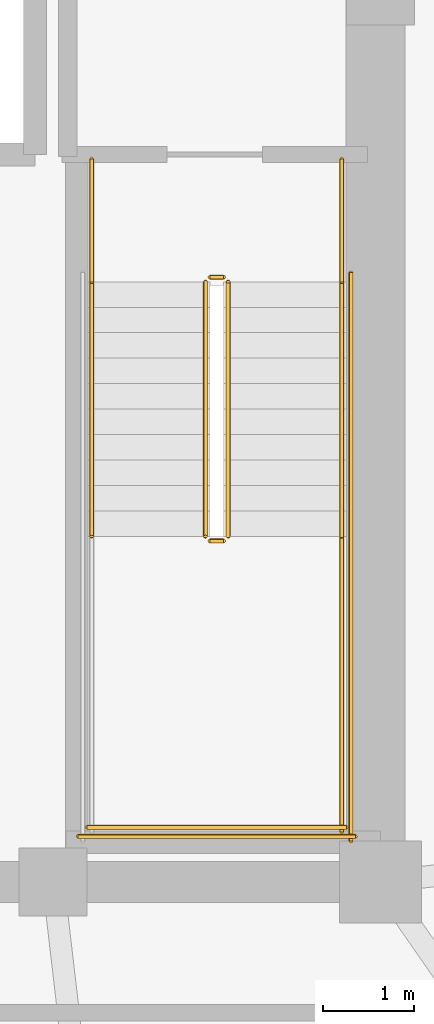
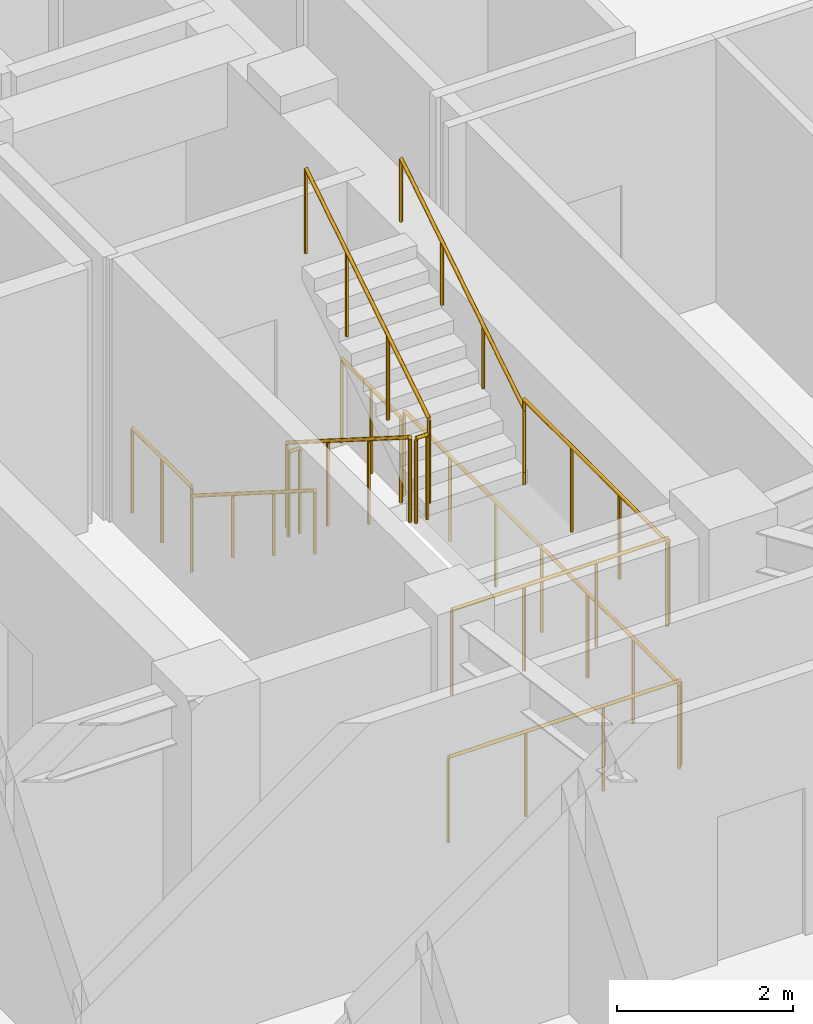
# One storey, part 11 of 11: 12 railings.
"""IFC4 building model written with IfcOpenShell, lengths in metres."""

from ifc_helpers import new_model, si_unit, direction, frame, origin, origin_2d, place, context, subcontext, project, spatial, circle, extrude, material, type_object, element, save


model = new_model("IFC4")

# Units and contexts
model_context = context("Model", 3, precision=1e-05, world=origin(), true_north=direction((0.0, 1.0)))
body_context = subcontext(model_context, "Body", "Model", "MODEL_VIEW")
ifc_project = project(units=[si_unit("LENGTHUNIT", "METRE"), si_unit("AREAUNIT", "SQUARE_METRE"), si_unit("VOLUMEUNIT", "CUBIC_METRE"), si_unit("PLANEANGLEUNIT", "RADIAN"), si_unit("MASSUNIT", "GRAM", prefix="KILO")], contexts=[model_context])

# Site, building, storey
site_placement = place(None, origin())
site = spatial("IfcSite", under=ifc_project, at=site_placement, CompositionType="ELEMENT")
building_placement = place(site_placement, origin())
building = spatial("IfcBuilding", under=site, at=building_placement, Name="Voryun Gate Residences", CompositionType="ELEMENT")
storey_placement = place(building_placement, frame((0.0, 0.0, 227.5)))
storey = spatial("IfcBuildingStorey", under=building, at=storey_placement, Name="L56", CompositionType="ELEMENT", Elevation=227.5)

# Railings
ifc_material_1 = material(Name="Painted steel", Category="steel")
railing_type_1 = type_object("IfcRailingType", Name="RAIL_STAIR_GUARD_1200", PredefinedType="GUARDRAIL", material=ifc_material_1)
railing_1_placement = place(storey_placement, frame((17.27490234375, -0.800048828125, 0.17724609375)))
element("IfcRailing", 1, at=railing_1_placement, inside=storey, type_object=railing_type_1, Name="L56 ST-E1 stair guard 1", PredefinedType="GUARDRAIL", context=body_context, shape_type="SweptSolid", body=[
    extrude(circle(Radius=0.02392578125, at=origin_2d()), frame((0.0, 0.0, 1.17578125), z_axis=(0.0, -0.844908973607, 0.534910110503), x_axis=(1.0, 0.0, 0.0)), (0.0, 0.0, 1.0), 3.31396484375),
    extrude(circle(Radius=0.02099609375, at=origin_2d()), origin(), (0.0, 0.0, 1.0), 1.15185546875),
    extrude(circle(Radius=0.02099609375, at=origin_2d()), frame((0.0, -0.933349609375, 0.5908203125)), (0.0, 0.0, 1.0), 1.15185546875),
    extrude(circle(Radius=0.02099609375, at=origin_2d()), frame((0.0, -1.86669921875, 1.181884765625)), (0.0, 0.0, 1.0), 1.15185546875),
    extrude(circle(Radius=0.02099609375, at=origin_2d()), frame((0.0, -2.800048828125, 1.772705078125)), (0.0, 0.0, 1.0), 1.15185546875),
])
railing_2_placement = place(storey_placement, frame((17.324951171875, -3.64990234375, 1.949951171875)))
element("IfcRailing", 2, at=railing_2_placement, inside=storey, type_object=railing_type_1, Name="L56 ST-E1 stair guard 2", PredefinedType="GUARDRAIL", context=body_context, shape_type="SweptSolid", body=[
    extrude(circle(Radius=0.02392578125, at=origin_2d()), frame((0.0, 0.0, 1.17578125), z_axis=(1.0, 0.0, 0.0), x_axis=(0.0, 1.0, 0.0)), (0.0, 0.0, 1.0), 0.150146484375),
    extrude(circle(Radius=0.02099609375, at=origin_2d()), origin(), (0.0, 0.0, 1.0), 1.15185546875),
    extrude(circle(Radius=0.02099609375, at=origin_2d()), frame((0.150146484375, 0.0, 0.0)), (0.0, 0.0, 1.0), 1.15185546875),
])
railing_3_placement = place(storey_placement, frame((18.77490234375, -3.60009765625, 1.949951171875)))
element("IfcRailing", 3, at=railing_3_placement, inside=storey, type_object=railing_type_1, Name="L56 ST-E1 stair guard 4", PredefinedType="GUARDRAIL", context=body_context, shape_type="SweptSolid", body=[
    extrude(circle(Radius=0.02392578125, at=origin_2d()), frame((0.0, 0.0, 1.17578125), z_axis=(0.0, -1.0, 0.0), x_axis=(1.0, 0.0, 0.0)), (0.0, 0.0, 1.0), 3.25),
    extrude(circle(Radius=0.02099609375, at=origin_2d()), origin(), (0.0, 0.0, 1.0), 1.15185546875),
    extrude(circle(Radius=0.02099609375, at=origin_2d()), frame((0.0, -1.083251953125, 0.0)), (0.0, 0.0, 1.0), 1.15185546875),
    extrude(circle(Radius=0.02099609375, at=origin_2d()), frame((0.0, -2.166748046875, 0.0)), (0.0, 0.0, 1.0), 1.15185546875),
    extrude(circle(Radius=0.02099609375, at=origin_2d()), frame((0.0, -3.25, 0.0)), (0.0, 0.0, 1.0), 1.15185546875),
])
railing_4_placement = place(storey_placement, frame((15.97509765625, -6.800048828125, 1.949951171875)))
element("IfcRailing", 4, at=railing_4_placement, inside=storey, type_object=railing_type_1, Name="L56 ST-E1 stair guard 5", PredefinedType="GUARDRAIL", context=body_context, shape_type="SweptSolid", body=[
    extrude(circle(Radius=0.02392578125, at=origin_2d()), frame((0.0, 0.0, 1.17578125), z_axis=(1.0, 0.0, 0.0), x_axis=(0.0, 1.0, 0.0)), (0.0, 0.0, 1.0), 2.849853515625),
    extrude(circle(Radius=0.02099609375, at=origin_2d()), origin(), (0.0, 0.0, 1.0), 1.15185546875),
    extrude(circle(Radius=0.02099609375, at=origin_2d()), frame((0.949951171875, 0.0, 0.0)), (0.0, 0.0, 1.0), 1.15185546875),
    extrude(circle(Radius=0.02099609375, at=origin_2d()), frame((1.89990234375, 0.0, 0.0)), (0.0, 0.0, 1.0), 1.15185546875),
    extrude(circle(Radius=0.02099609375, at=origin_2d()), frame((2.849853515625, 0.0, 0.0)), (0.0, 0.0, 1.0), 1.15185546875),
])
railing_5_placement = place(storey_placement, frame((17.52490234375, -3.60009765625, 2.127197265625)))
element("IfcRailing", 5, at=railing_5_placement, inside=storey, type_object=railing_type_1, Name="L56 ST-E1 stair guard 6", PredefinedType="GUARDRAIL", context=body_context, shape_type="SweptSolid", body=[
    extrude(circle(Radius=0.02392578125, at=origin_2d()), frame((0.0, 0.0, 1.17578125), z_axis=(0.0, 0.844908973607, 0.534910110503), x_axis=(-1.0, 0.0, 0.0)), (0.0, 0.0, 1.0), 3.31396484375),
    extrude(circle(Radius=0.02099609375, at=origin_2d()), origin(), (0.0, 0.0, 1.0), 1.15185546875),
    extrude(circle(Radius=0.02099609375, at=origin_2d()), frame((0.0, 0.933349609375, 0.5908203125)), (0.0, 0.0, 1.0), 1.15185546875),
    extrude(circle(Radius=0.02099609375, at=origin_2d()), frame((0.0, 1.86669921875, 1.181884765625)), (0.0, 0.0, 1.0), 1.15185546875),
    extrude(circle(Radius=0.02099609375, at=origin_2d()), frame((0.0, 2.800048828125, 1.772705078125)), (0.0, 0.0, 1.0), 1.15185546875),
])
railing_6_placement = place(storey_placement, frame((17.324951171875, -0.75, 0.0)))
element("IfcRailing", 6, at=railing_6_placement, inside=storey, type_object=railing_type_1, Name="L56 ST-E1 stair guard 7", PredefinedType="GUARDRAIL", context=body_context, shape_type="SweptSolid", body=[
    extrude(circle(Radius=0.02392578125, at=origin_2d()), frame((0.0, 0.0, 1.17578125), z_axis=(1.0, 0.0, 0.0), x_axis=(0.0, 1.0, 0.0)), (0.0, 0.0, 1.0), 0.150146484375),
    extrude(circle(Radius=0.02099609375, at=origin_2d()), origin(), (0.0, 0.0, 1.0), 1.15185546875),
    extrude(circle(Radius=0.02099609375, at=origin_2d()), frame((0.150146484375, 0.0, 0.0)), (0.0, 0.0, 1.0), 1.15185546875),
])
for number, where, name in (
    (7, (16.02490234375, 0.550048828125, 0.0), "L56 ST-E1 stair guard 8"),
    (8, (18.77490234375, 0.550048828125, 0.0), "L56 ST-E1 stair guard 9"),
):
    element("IfcRailing", number, at=place(storey_placement, frame(where)), inside=storey, type_object=railing_type_1, Name=name, PredefinedType="GUARDRAIL", context=body_context, shape_type="SweptSolid", body=[
        extrude(circle(Radius=0.02392578125, at=origin_2d()), frame((0.0, 0.0, 1.17578125), z_axis=(0.0, -1.0, 0.0), x_axis=(1.0, 0.0, 0.0)), (0.0, 0.0, 1.0), 1.35009765625),
        extrude(circle(Radius=0.02099609375, at=origin_2d()), origin(), (0.0, 0.0, 1.0), 1.15185546875),
        extrude(circle(Radius=0.02099609375, at=origin_2d()), frame((0.0, -0.675048828125, 0.0)), (0.0, 0.0, 1.0), 1.15185546875),
        extrude(circle(Radius=0.02099609375, at=origin_2d()), frame((0.0, -1.35009765625, 0.0)), (0.0, 0.0, 1.0), 1.15185546875),
    ])
railing_7_placement = place(storey_placement, frame((18.875, -0.699951171875, 0.0)))
element("IfcRailing", 9, at=railing_7_placement, inside=storey, type_object=railing_type_1, Name="L56 ST-E1 stair guard 11", PredefinedType="GUARDRAIL", context=body_context, shape_type="SweptSolid", body=[
    extrude(circle(Radius=0.02392578125, at=origin_2d()), frame((0.0, 0.0, 1.17578125), z_axis=(0.0, -1.0, 0.0), x_axis=(1.0, 0.0, 0.0)), (0.0, 0.0, 1.0), 6.25),
    extrude(circle(Radius=0.02099609375, at=origin_2d()), origin(), (0.0, 0.0, 1.0), 1.15185546875),
    extrude(circle(Radius=0.02099609375, at=origin_2d()), frame((0.0, -1.041748046875, 0.0)), (0.0, 0.0, 1.0), 1.15185546875),
    extrude(circle(Radius=0.02099609375, at=origin_2d()), frame((0.0, -2.083251953125, 0.0)), (0.0, 0.0, 1.0), 1.15185546875),
    extrude(circle(Radius=0.02099609375, at=origin_2d()), frame((0.0, -3.125, 0.0)), (0.0, 0.0, 1.0), 1.15185546875),
    extrude(circle(Radius=0.02099609375, at=origin_2d()), frame((0.0, -4.166748046875, 0.0)), (0.0, 0.0, 1.0), 1.15185546875),
    extrude(circle(Radius=0.02099609375, at=origin_2d()), frame((0.0, -5.208251953125, 0.0)), (0.0, 0.0, 1.0), 1.15185546875),
    extrude(circle(Radius=0.02099609375, at=origin_2d()), frame((0.0, -6.25, 0.0)), (0.0, 0.0, 1.0), 1.15185546875),
])
railing_8_placement = place(storey_placement, frame((15.875, -6.89990234375, 0.0)))
element("IfcRailing", 10, at=railing_8_placement, inside=storey, type_object=railing_type_1, Name="L56 ST-E1 stair guard 12", PredefinedType="GUARDRAIL", context=body_context, shape_type="SweptSolid", body=[
    extrude(circle(Radius=0.02392578125, at=origin_2d()), frame((0.0, 0.0, 1.17578125), z_axis=(1.0, 0.0, 0.0), x_axis=(0.0, 1.0, 0.0)), (0.0, 0.0, 1.0), 3.050048828125),
    extrude(circle(Radius=0.02099609375, at=origin_2d()), origin(), (0.0, 0.0, 1.0), 1.15185546875),
    extrude(circle(Radius=0.02099609375, at=origin_2d()), frame((1.0166015625, 0.0, 0.0)), (0.0, 0.0, 1.0), 1.15185546875),
    extrude(circle(Radius=0.02099609375, at=origin_2d()), frame((2.033447265625, 0.0, 0.0)), (0.0, 0.0, 1.0), 1.15185546875),
    extrude(circle(Radius=0.02099609375, at=origin_2d()), frame((3.050048828125, 0.0, 0.0)), (0.0, 0.0, 1.0), 1.15185546875),
])
ifc_material_2 = material(Name="Painted steel", Category="steel")
railing_type_2 = type_object("IfcRailingType", Name="RAIL_STAIR_HANDRAIL_900", PredefinedType="HANDRAIL", material=ifc_material_2)
railing_9_placement = place(storey_placement, frame((16.02490234375, -0.800048828125, 0.17724609375)))
element("IfcRailing", 11, at=railing_9_placement, inside=storey, type_object=railing_type_2, Name="L56 ST-E1 stair handrail 1", PredefinedType="HANDRAIL", context=body_context, shape_type="SweptSolid", body=[
    extrude(circle(Radius=0.02392578125, at=origin_2d()), frame((0.0, 0.0, 0.8759765625), z_axis=(0.0, -0.844908973607, 0.534910110503), x_axis=(1.0, 0.0, 0.0)), (0.0, 0.0, 1.0), 3.31396484375),
    extrude(circle(Radius=0.02099609375, at=origin_2d()), origin(), (0.0, 0.0, 1.0), 0.851806640625),
    extrude(circle(Radius=0.02099609375, at=origin_2d()), frame((0.0, -0.933349609375, 0.5908203125)), (0.0, 0.0, 1.0), 0.851806640625),
    extrude(circle(Radius=0.02099609375, at=origin_2d()), frame((0.0, -1.86669921875, 1.181884765625)), (0.0, 0.0, 1.0), 0.851806640625),
    extrude(circle(Radius=0.02099609375, at=origin_2d()), frame((0.0, -2.800048828125, 1.772705078125)), (0.0, 0.0, 1.0), 0.851806640625),
])
railing_10_placement = place(storey_placement, frame((18.77490234375, -3.60009765625, 2.127197265625)))
element("IfcRailing", 12, at=railing_10_placement, inside=storey, type_object=railing_type_2, Name="L56 ST-E1 stair handrail 2", PredefinedType="HANDRAIL", context=body_context, shape_type="SweptSolid", body=[
    extrude(circle(Radius=0.02392578125, at=origin_2d()), frame((0.0, 0.0, 0.8759765625), z_axis=(0.0, 0.844908973607, 0.534910110503), x_axis=(-1.0, 0.0, 0.0)), (0.0, 0.0, 1.0), 3.31396484375),
    extrude(circle(Radius=0.02099609375, at=origin_2d()), origin(), (0.0, 0.0, 1.0), 0.851806640625),
    extrude(circle(Radius=0.02099609375, at=origin_2d()), frame((0.0, 0.933349609375, 0.5908203125)), (0.0, 0.0, 1.0), 0.851806640625),
    extrude(circle(Radius=0.02099609375, at=origin_2d()), frame((0.0, 1.86669921875, 1.181884765625)), (0.0, 0.0, 1.0), 0.851806640625),
    extrude(circle(Radius=0.02099609375, at=origin_2d()), frame((0.0, 2.800048828125, 1.772705078125)), (0.0, 0.0, 1.0), 0.851806640625),
])

save(model, "model.ifc")
